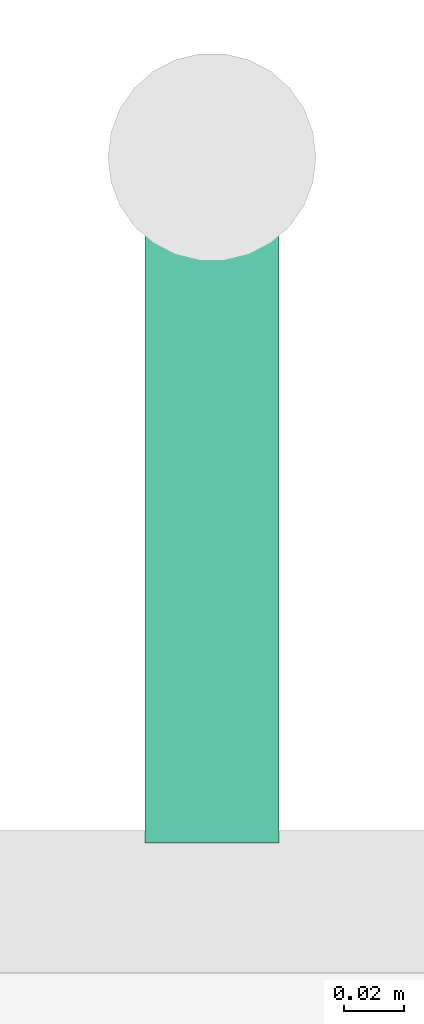
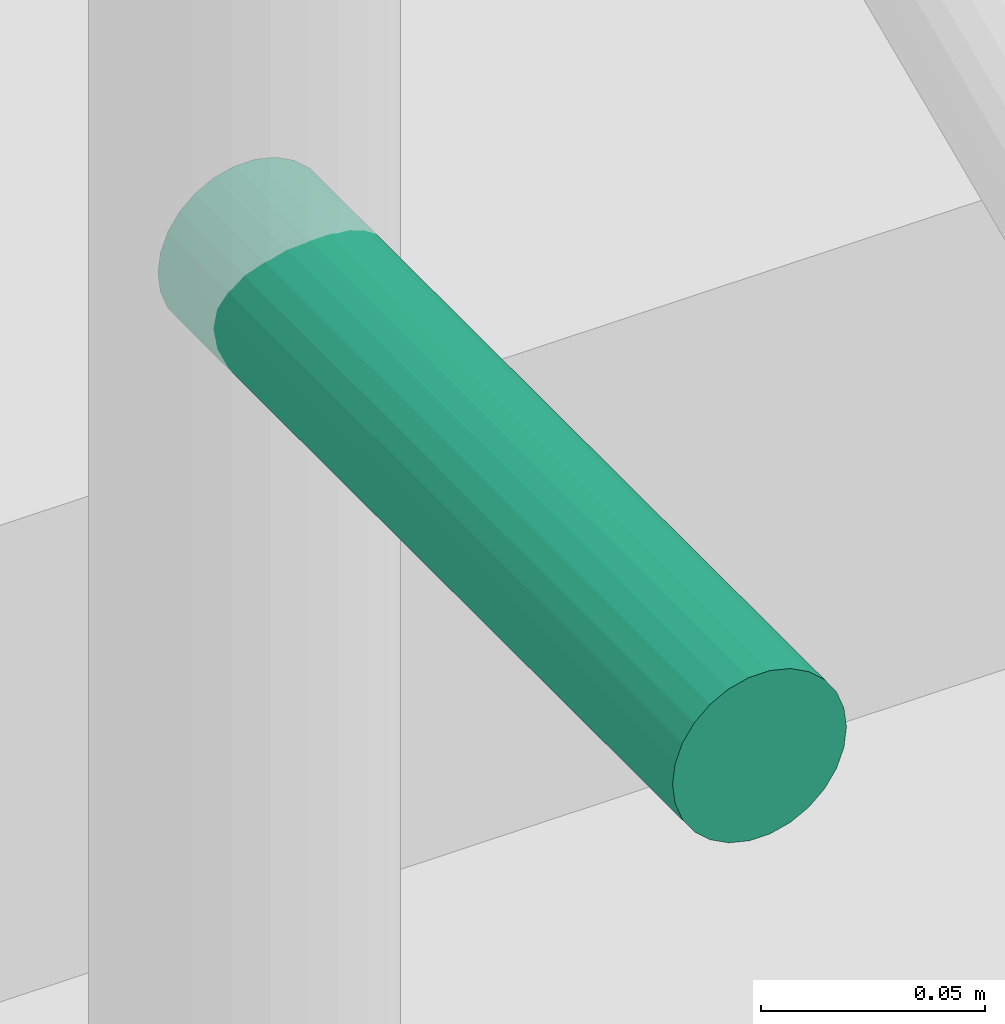
# One storey, part 31 of 31: 1 pipe fitting.
"""IFC4 building model written with IfcOpenShell, lengths in metres."""

from ifc_helpers import new_model, si_unit, direction, frame, origin, origin_2d, place, context, subcontext, project, spatial, circle, extrude, element, save


model = new_model("IFC4")

# Units and contexts
model_context = context("Model", 3, precision=1e-05, world=origin(), true_north=direction((0.0, 1.0)))
body_context = subcontext(model_context, "Body", "Model", "MODEL_VIEW")
ifc_project = project(units=[si_unit("LENGTHUNIT", "METRE"), si_unit("AREAUNIT", "SQUARE_METRE"), si_unit("VOLUMEUNIT", "CUBIC_METRE"), si_unit("PLANEANGLEUNIT", "RADIAN"), si_unit("MASSUNIT", "GRAM", prefix="KILO")], contexts=[model_context])

# Site, building, storey
site_placement = place(None, origin())
site = spatial("IfcSite", under=ifc_project, at=site_placement, CompositionType="ELEMENT")
building_placement = place(site_placement, origin())
building = spatial("IfcBuilding", under=site, at=building_placement, Name="Nzadi Deep Aquarium and Research Tower", CompositionType="ELEMENT")
storey_placement = place(building_placement, frame((0.0, 0.0, 26.699951171875)))
storey = spatial("IfcBuildingStorey", under=building, at=storey_placement, Name="L04", CompositionType="ELEMENT", Elevation=26.699951171875)

# Pipe fitting
pipe_fitting_placement = place(storey_placement, frame((55.300048828125, 116.360107421875, 1.10009765625), z_axis=(0.0, -1.0, 0.0), x_axis=(1.0, 0.0, 0.0)))
element("IfcPipeFitting", 1, at=pipe_fitting_placement, inside=storey, Name="Dry riser outlet ST-Z3-E L04", PredefinedType="EXIT", context=body_context, shape_type="SweptSolid", body=[
    extrude(circle(Radius=0.0224609375, at=origin_2d()), origin(), (0.0, 0.0, 1.0), 0.230224609375),
])

save(model, "model.ifc")
